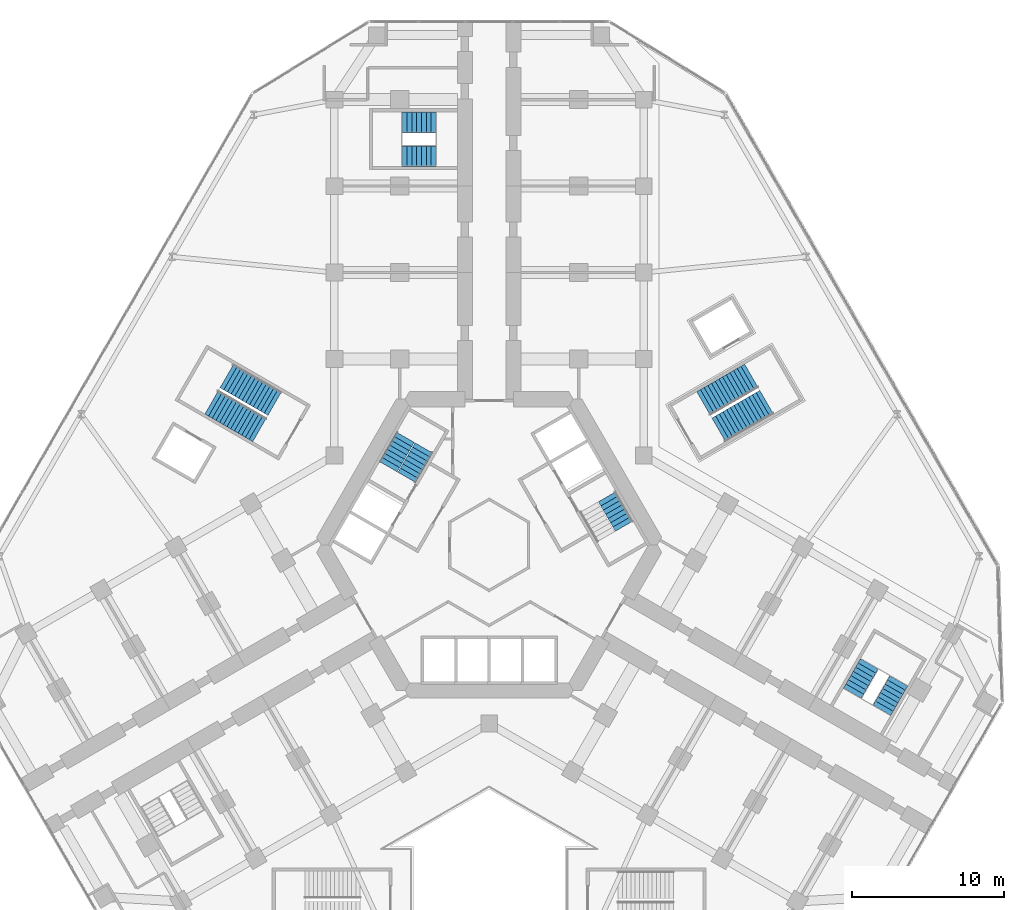
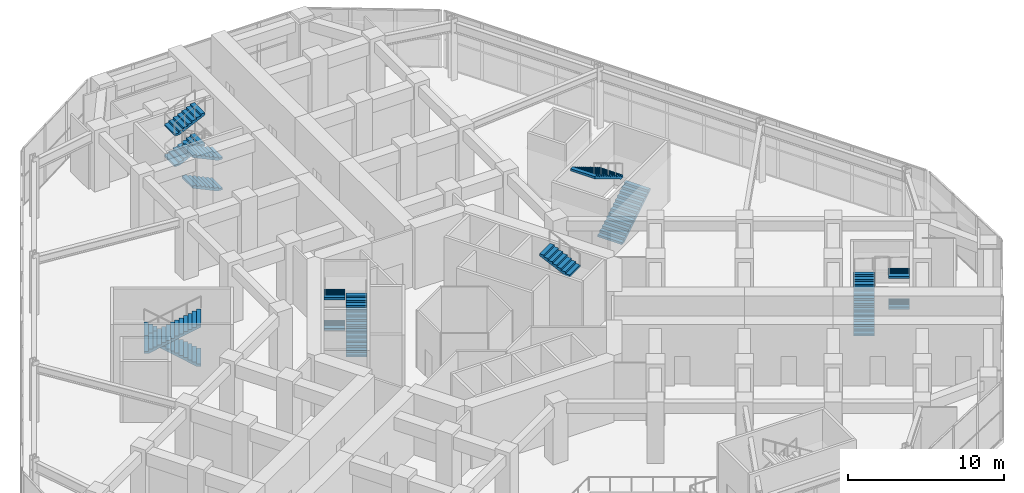
# One storey, part 19 of 22: 17 stair flights, 6 elements without a shape of their own.
"""IFC4 building model written with IfcOpenShell, lengths in metres."""

from ifc_helpers import new_model, si_unit, direction, frame, origin, place, context, subcontext, project, spatial, polyline, outline, extrude, material, type_object, element, aggregate, save


model = new_model("IFC4")

# Units and contexts
model_context = context("Model", 3, precision=1e-05, world=origin(), true_north=direction((0.0, 1.0)))
body_context = subcontext(model_context, "Body", "Model", "MODEL_VIEW")
ifc_project = project(units=[si_unit("LENGTHUNIT", "METRE"), si_unit("AREAUNIT", "SQUARE_METRE"), si_unit("VOLUMEUNIT", "CUBIC_METRE"), si_unit("PLANEANGLEUNIT", "RADIAN"), si_unit("MASSUNIT", "GRAM", prefix="KILO")], contexts=[model_context])

# Site, building, storey
site_placement = place(None, origin())
site = spatial("IfcSite", under=ifc_project, at=site_placement, CompositionType="ELEMENT")
building_placement = place(site_placement, origin())
building = spatial("IfcBuilding", under=site, at=building_placement, Name="Kosmar Iwan School Tower", CompositionType="ELEMENT")
storey_placement = place(building_placement, frame((0.0, 0.0, 10.800048828125)))
storey = spatial("IfcBuildingStorey", under=building, at=storey_placement, Name="L02", CompositionType="ELEMENT", Elevation=10.800048828125)

# Stair, stair flights
ifc_material_1 = material(Name="Concrete C35/45", Category="concrete")
stair_type_1 = type_object("IfcStairType", Name="Escape stair 3600", PredefinedType="HALF_TURN_STAIR", material=ifc_material_1)
stair_1_placement = place(storey_placement, origin())
stair_1 = element("IfcStair", 1, at=stair_1_placement, inside=storey, type_object=stair_type_1, Name="Stair WS1 L02", PredefinedType="HALF_TURN_STAIR")
ifc_material_2 = material(Name="Concrete C35/45", Category="concrete")
stair_flight_type_1 = type_object("IfcStairFlightType", Name="Escape stair flight 1350", PredefinedType="STRAIGHT", material=ifc_material_2)
stair_flight_1_placement = place(storey_placement, frame((-3.5, 25.625, 0.0), z_axis=(0.0, 0.0, 1.0), x_axis=(-1.0, 0.0, 0.0)))
stair_flight_1 = element("IfcStairFlight", 2, at=stair_flight_1_placement, type_object=stair_flight_type_1, Name="WS1 flight 1", NumberOfRisers=8, NumberOfTreads=7, PredefinedType="STRAIGHT", RiserHeight=0.15, TreadLength=0.32, context=body_context, shape_type="SweptSolid", body=[
    extrude(outline(polyline([(0.0, 0.0), (0.0, 0.14990234375), (0.320068359375, 0.14990234375), (0.320068359375, 0.300048828125), (0.639892578125, 0.300048828125), (0.639892578125, 0.449951171875), (0.9599609375, 0.449951171875), (0.9599609375, 0.60009765625), (1.280029296875, 0.60009765625), (1.280029296875, 0.75), (1.60009765625, 0.75), (1.60009765625, 0.89990234375), (1.919921875, 0.89990234375), (1.919921875, 1.050048828125), (2.239990234375, 1.050048828125), (2.239990234375, 1.199951171875), (2.239990234375, 0.884521484375), (0.353271484375, 0.0), (0.0, 0.0)])), frame((0.0, 0.675048828125, 0.0), z_axis=(0.0, -1.0, 0.0), x_axis=(1.0, 0.0, 0.0)), (0.0, 0.0, 1.0), 1.35009765625),
])
stair_flight_2_placement = place(storey_placement, frame((-5.739990234375, 27.875, 1.199951171875), z_axis=(0.0, 0.0, 1.0), x_axis=(1.0, 0.0, 0.0)))
stair_flight_2 = element("IfcStairFlight", 3, at=stair_flight_2_placement, type_object=stair_flight_type_1, Name="WS1 flight 2", NumberOfRisers=8, NumberOfTreads=7, PredefinedType="STRAIGHT", RiserHeight=0.15, TreadLength=0.32, context=body_context, shape_type="SweptSolid", body=[
    extrude(outline(polyline([(0.0, 0.0), (0.0, 0.14990234375), (0.320068359375, 0.14990234375), (0.320068359375, 0.300048828125), (0.639892578125, 0.300048828125), (0.639892578125, 0.449951171875), (0.9599609375, 0.449951171875), (0.9599609375, 0.60009765625), (1.280029296875, 0.60009765625), (1.280029296875, 0.75), (1.60009765625, 0.75), (1.60009765625, 0.89990234375), (1.919921875, 0.89990234375), (1.919921875, 1.050048828125), (2.239990234375, 1.050048828125), (2.239990234375, 1.199951171875), (2.239990234375, 0.884521484375), (0.353271484375, 0.0), (0.0, 0.0)])), frame((0.0, 0.675048828125, 0.0), z_axis=(0.0, -1.0, 0.0), x_axis=(1.0, 0.0, 0.0)), (0.0, 0.0, 1.0), 1.35009765625),
])
stair_flight_3_placement = place(storey_placement, frame((-3.5, 25.625, 2.39990234375), z_axis=(0.0, 0.0, 1.0), x_axis=(-1.0, 0.0, 0.0)))
stair_flight_3 = element("IfcStairFlight", 4, at=stair_flight_3_placement, type_object=stair_flight_type_1, Name="WS1 flight 3", NumberOfRisers=8, NumberOfTreads=7, PredefinedType="STRAIGHT", RiserHeight=0.15, TreadLength=0.32, context=body_context, shape_type="SweptSolid", body=[
    extrude(outline(polyline([(0.0, 0.0), (0.0, 0.14990234375), (0.320068359375, 0.14990234375), (0.320068359375, 0.300048828125), (0.639892578125, 0.300048828125), (0.639892578125, 0.449951171875), (0.9599609375, 0.449951171875), (0.9599609375, 0.60009765625), (1.280029296875, 0.60009765625), (1.280029296875, 0.75), (1.60009765625, 0.75), (1.60009765625, 0.89990234375), (1.919921875, 0.89990234375), (1.919921875, 1.050048828125), (2.239990234375, 1.050048828125), (2.239990234375, 1.199951171875), (2.239990234375, 0.884521484375), (0.353271484375, 0.0), (0.0, 0.0)])), frame((0.0, 0.675048828125, 0.0), z_axis=(0.0, -1.0, 0.0), x_axis=(1.0, 0.0, 0.0)), (0.0, 0.0, 1.0), 1.35009765625),
])
stair_flight_4_placement = place(storey_placement, frame((-5.739990234375, 27.875, 3.599853515625), z_axis=(0.0, 0.0, 1.0), x_axis=(1.0, 0.0, 0.0)))
stair_flight_4 = element("IfcStairFlight", 5, at=stair_flight_4_placement, type_object=stair_flight_type_1, Name="WS1 flight 4", NumberOfRisers=8, NumberOfTreads=7, PredefinedType="STRAIGHT", RiserHeight=0.15, TreadLength=0.32, context=body_context, shape_type="SweptSolid", body=[
    extrude(outline(polyline([(0.0, 0.0), (0.0, 0.14990234375), (0.320068359375, 0.14990234375), (0.320068359375, 0.300048828125), (0.639892578125, 0.300048828125), (0.639892578125, 0.449951171875), (0.9599609375, 0.449951171875), (0.9599609375, 0.60009765625), (1.280029296875, 0.60009765625), (1.280029296875, 0.75), (1.60009765625, 0.75), (1.60009765625, 0.89990234375), (1.919921875, 0.89990234375), (1.919921875, 1.050048828125), (2.239990234375, 1.050048828125), (2.239990234375, 1.199951171875), (2.239990234375, 0.884521484375), (0.353271484375, 0.0), (0.0, 0.0)])), frame((0.0, 0.675048828125, 0.0), z_axis=(0.0, -1.0, 0.0), x_axis=(1.0, 0.0, 0.0)), (0.0, 0.0, 1.0), 1.35009765625),
])
aggregate(stair_1, [stair_flight_1, stair_flight_2, stair_flight_3, stair_flight_4])

stair_2_placement = place(storey_placement, origin())
stair_2 = element("IfcStair", 6, at=stair_2_placement, inside=storey, type_object=stair_type_1, Name="Stair WS3 L02", PredefinedType="HALF_TURN_STAIR")
stair_flight_5_placement = place(storey_placement, frame((23.94189453125, -9.781494140625, 0.0), z_axis=(0.0, 0.0, 1.0), x_axis=(0.5, 0.866025403784, 0.0)))
stair_flight_5 = element("IfcStairFlight", 7, at=stair_flight_5_placement, type_object=stair_flight_type_1, Name="WS3 flight 1", NumberOfRisers=8, NumberOfTreads=7, PredefinedType="STRAIGHT", RiserHeight=0.15, TreadLength=0.32, context=body_context, shape_type="SweptSolid", body=[
    extrude(outline(polyline([(0.0, 0.0), (0.0, 0.14990234375), (0.320068359375, 0.14990234375), (0.320068359375, 0.300048828125), (0.639892578125, 0.300048828125), (0.639892578125, 0.449951171875), (0.9599609375, 0.449951171875), (0.9599609375, 0.60009765625), (1.280029296875, 0.60009765625), (1.280029296875, 0.75), (1.60009765625, 0.75), (1.60009765625, 0.89990234375), (1.919921875, 0.89990234375), (1.919921875, 1.050048828125), (2.239990234375, 1.050048828125), (2.239990234375, 1.199951171875), (2.239990234375, 0.884521484375), (0.353271484375, 0.0), (0.0, 0.0)])), frame((0.0, 0.675048828125, 0.0), z_axis=(0.0, -1.0, 0.0), x_axis=(1.0, 0.0, 0.0)), (0.0, 0.0, 1.0), 1.35009765625),
])
stair_flight_6_placement = place(storey_placement, frame((27.010498046875, -8.966552734375, 1.199951171875), z_axis=(0.0, 0.0, 1.0), x_axis=(-0.5, -0.866025403784, 0.0)))
stair_flight_6 = element("IfcStairFlight", 8, at=stair_flight_6_placement, type_object=stair_flight_type_1, Name="WS3 flight 2", NumberOfRisers=8, NumberOfTreads=7, PredefinedType="STRAIGHT", RiserHeight=0.15, TreadLength=0.32, context=body_context, shape_type="SweptSolid", body=[
    extrude(outline(polyline([(0.0, 0.0), (0.0, 0.14990234375), (0.320068359375, 0.14990234375), (0.320068359375, 0.300048828125), (0.639892578125, 0.300048828125), (0.639892578125, 0.449951171875), (0.9599609375, 0.449951171875), (0.9599609375, 0.60009765625), (1.280029296875, 0.60009765625), (1.280029296875, 0.75), (1.60009765625, 0.75), (1.60009765625, 0.89990234375), (1.919921875, 0.89990234375), (1.919921875, 1.050048828125), (2.239990234375, 1.050048828125), (2.239990234375, 1.199951171875), (2.239990234375, 0.884521484375), (0.353271484375, 0.0), (0.0, 0.0)])), frame((0.0, 0.675048828125, 0.0), z_axis=(0.0, -1.0, 0.0), x_axis=(1.0, 0.0, 0.0)), (0.0, 0.0, 1.0), 1.35009765625),
])
stair_flight_7_placement = place(storey_placement, frame((23.94189453125, -9.781494140625, 2.39990234375), z_axis=(0.0, 0.0, 1.0), x_axis=(0.5, 0.866025403784, 0.0)))
stair_flight_7 = element("IfcStairFlight", 9, at=stair_flight_7_placement, type_object=stair_flight_type_1, Name="WS3 flight 3", NumberOfRisers=8, NumberOfTreads=7, PredefinedType="STRAIGHT", RiserHeight=0.15, TreadLength=0.32, context=body_context, shape_type="SweptSolid", body=[
    extrude(outline(polyline([(0.0, 0.0), (0.0, 0.14990234375), (0.320068359375, 0.14990234375), (0.320068359375, 0.300048828125), (0.639892578125, 0.300048828125), (0.639892578125, 0.449951171875), (0.9599609375, 0.449951171875), (0.9599609375, 0.60009765625), (1.280029296875, 0.60009765625), (1.280029296875, 0.75), (1.60009765625, 0.75), (1.60009765625, 0.89990234375), (1.919921875, 0.89990234375), (1.919921875, 1.050048828125), (2.239990234375, 1.050048828125), (2.239990234375, 1.199951171875), (2.239990234375, 0.884521484375), (0.353271484375, 0.0), (0.0, 0.0)])), frame((0.0, 0.675048828125, 0.0), z_axis=(0.0, -1.0, 0.0), x_axis=(1.0, 0.0, 0.0)), (0.0, 0.0, 1.0), 1.35009765625),
])
stair_flight_8_placement = place(storey_placement, frame((27.010498046875, -8.966552734375, 3.599853515625), z_axis=(0.0, 0.0, 1.0), x_axis=(-0.5, -0.866025403784, 0.0)))
stair_flight_8 = element("IfcStairFlight", 10, at=stair_flight_8_placement, type_object=stair_flight_type_1, Name="WS3 flight 4", NumberOfRisers=8, NumberOfTreads=7, PredefinedType="STRAIGHT", RiserHeight=0.15, TreadLength=0.32, context=body_context, shape_type="SweptSolid", body=[
    extrude(outline(polyline([(0.0, 0.0), (0.0, 0.14990234375), (0.320068359375, 0.14990234375), (0.320068359375, 0.300048828125), (0.639892578125, 0.300048828125), (0.639892578125, 0.449951171875), (0.9599609375, 0.449951171875), (0.9599609375, 0.60009765625), (1.280029296875, 0.60009765625), (1.280029296875, 0.75), (1.60009765625, 0.75), (1.60009765625, 0.89990234375), (1.919921875, 0.89990234375), (1.919921875, 1.050048828125), (2.239990234375, 1.050048828125), (2.239990234375, 1.199951171875), (2.239990234375, 0.884521484375), (0.353271484375, 0.0), (0.0, 0.0)])), frame((0.0, 0.675048828125, 0.0), z_axis=(0.0, -1.0, 0.0), x_axis=(1.0, 0.0, 0.0)), (0.0, 0.0, 1.0), 1.35009765625),
])
aggregate(stair_2, [stair_flight_5, stair_flight_6, stair_flight_7, stair_flight_8])

ifc_material_3 = material(Name="Concrete C35/45", Category="concrete")
stair_type_2 = type_object("IfcStairType", Name="School stair 3800", PredefinedType="HALF_TURN_STAIR", material=ifc_material_3)
stair_3_placement = place(storey_placement, origin())
stair_3 = element("IfcStair", 11, at=stair_3_placement, inside=storey, type_object=stair_type_2, Name="School stair SS3 L02", PredefinedType="HALF_TURN_STAIR")
ifc_material_4 = material(Name="Concrete C35/45", Category="concrete")
stair_flight_type_2 = type_object("IfcStairFlightType", Name="School stair flight 1800", PredefinedType="STRAIGHT", material=ifc_material_4)
stair_flight_9_placement = place(storey_placement, frame((15.1357421875, 7.583984375, 0.0), z_axis=(0.0, 0.0, 1.0), x_axis=(0.866025403784, 0.5, 0.0)))
stair_flight_9 = element("IfcStairFlight", 12, at=stair_flight_9_placement, type_object=stair_flight_type_2, Name="SS3 flight 1", NumberOfRisers=14, NumberOfTreads=13, PredefinedType="STRAIGHT", RiserHeight=0.171428571, TreadLength=0.28, context=body_context, shape_type="SweptSolid", body=[
    extrude(outline(polyline([(0.0, 0.0), (0.0, 0.17138671875), (0.280029296875, 0.17138671875), (0.280029296875, 0.3427734375), (0.56005859375, 0.3427734375), (0.56005859375, 0.514404296875), (0.840087890625, 0.514404296875), (0.840087890625, 0.685791015625), (1.1201171875, 0.685791015625), (1.1201171875, 0.857177734375), (1.39990234375, 0.857177734375), (1.39990234375, 1.028564453125), (1.679931640625, 1.028564453125), (1.679931640625, 1.199951171875), (1.9599609375, 1.199951171875), (1.9599609375, 1.371337890625), (2.239990234375, 1.371337890625), (2.239990234375, 1.54296875), (2.52001953125, 1.54296875), (2.52001953125, 1.71435546875), (2.800048828125, 1.71435546875), (2.800048828125, 1.8857421875), (3.080078125, 1.8857421875), (3.080078125, 2.05712890625), (3.360107421875, 2.05712890625), (3.360107421875, 2.228515625), (3.639892578125, 2.228515625), (3.639892578125, 2.39990234375), (3.639892578125, 2.052734375), (0.287109375, 0.0), (0.0, 0.0)])), frame((0.0, 0.89990234375, 0.0), z_axis=(0.0, -1.0, 0.0), x_axis=(1.0, 0.0, 0.0)), (0.0, 0.0, 1.0), 1.800048828125),
])
stair_flight_10_placement = place(storey_placement, frame((17.2880859375, 11.135986328125, 2.39990234375), z_axis=(0.0, 0.0, 1.0), x_axis=(-0.866025403784, -0.5, 0.0)))
stair_flight_10 = element("IfcStairFlight", 13, at=stair_flight_10_placement, type_object=stair_flight_type_2, Name="SS3 flight 2", NumberOfRisers=14, NumberOfTreads=13, PredefinedType="STRAIGHT", RiserHeight=0.171428571, TreadLength=0.28, context=body_context, shape_type="SweptSolid", body=[
    extrude(outline(polyline([(0.0, 0.0), (0.0, 0.17138671875), (0.280029296875, 0.17138671875), (0.280029296875, 0.3427734375), (0.56005859375, 0.3427734375), (0.56005859375, 0.514404296875), (0.840087890625, 0.514404296875), (0.840087890625, 0.685791015625), (1.1201171875, 0.685791015625), (1.1201171875, 0.857177734375), (1.39990234375, 0.857177734375), (1.39990234375, 1.028564453125), (1.679931640625, 1.028564453125), (1.679931640625, 1.199951171875), (1.9599609375, 1.199951171875), (1.9599609375, 1.371337890625), (2.239990234375, 1.371337890625), (2.239990234375, 1.54296875), (2.52001953125, 1.54296875), (2.52001953125, 1.71435546875), (2.800048828125, 1.71435546875), (2.800048828125, 1.8857421875), (3.080078125, 1.8857421875), (3.080078125, 2.05712890625), (3.360107421875, 2.05712890625), (3.360107421875, 2.228515625), (3.639892578125, 2.228515625), (3.639892578125, 2.39990234375), (3.639892578125, 2.052734375), (0.287109375, 0.0), (0.0, 0.0)])), frame((0.0, 0.89990234375, 0.0), z_axis=(0.0, -1.0, 0.0), x_axis=(1.0, 0.0, 0.0)), (0.0, 0.0, 1.0), 1.800048828125),
])
aggregate(stair_3, [stair_flight_9, stair_flight_10])

stair_4_placement = place(storey_placement, origin())
stair_4 = element("IfcStair", 14, at=stair_4_placement, inside=storey, type_object=stair_type_2, Name="School stair SS4 L02", PredefinedType="HALF_TURN_STAIR")
stair_flight_11_placement = place(storey_placement, frame((-14.1357421875, 9.31591796875, 0.0), z_axis=(0.0, 0.0, 1.0), x_axis=(-0.866025403784, 0.5, 0.0)))
stair_flight_11 = element("IfcStairFlight", 15, at=stair_flight_11_placement, type_object=stair_flight_type_2, Name="SS4 flight 1", NumberOfRisers=14, NumberOfTreads=13, PredefinedType="STRAIGHT", RiserHeight=0.171428571, TreadLength=0.28, context=body_context, shape_type="SweptSolid", body=[
    extrude(outline(polyline([(0.0, 0.0), (0.0, 0.17138671875), (0.280029296875, 0.17138671875), (0.280029296875, 0.3427734375), (0.56005859375, 0.3427734375), (0.56005859375, 0.514404296875), (0.840087890625, 0.514404296875), (0.840087890625, 0.685791015625), (1.1201171875, 0.685791015625), (1.1201171875, 0.857177734375), (1.39990234375, 0.857177734375), (1.39990234375, 1.028564453125), (1.679931640625, 1.028564453125), (1.679931640625, 1.199951171875), (1.9599609375, 1.199951171875), (1.9599609375, 1.371337890625), (2.239990234375, 1.371337890625), (2.239990234375, 1.54296875), (2.52001953125, 1.54296875), (2.52001953125, 1.71435546875), (2.800048828125, 1.71435546875), (2.800048828125, 1.8857421875), (3.080078125, 1.8857421875), (3.080078125, 2.05712890625), (3.360107421875, 2.05712890625), (3.360107421875, 2.228515625), (3.639892578125, 2.228515625), (3.639892578125, 2.39990234375), (3.639892578125, 2.052734375), (0.287109375, 0.0), (0.0, 0.0)])), frame((0.0, 0.89990234375, 0.0), z_axis=(0.0, -1.0, 0.0), x_axis=(1.0, 0.0, 0.0)), (0.0, 0.0, 1.0), 1.800048828125),
])
stair_flight_12_placement = place(storey_placement, frame((-18.2880859375, 9.404052734375, 2.39990234375), z_axis=(0.0, 0.0, 1.0), x_axis=(0.866025403784, -0.5, 0.0)))
stair_flight_12 = element("IfcStairFlight", 16, at=stair_flight_12_placement, type_object=stair_flight_type_2, Name="SS4 flight 2", NumberOfRisers=14, NumberOfTreads=13, PredefinedType="STRAIGHT", RiserHeight=0.171428571, TreadLength=0.28, context=body_context, shape_type="SweptSolid", body=[
    extrude(outline(polyline([(0.0, 0.0), (0.0, 0.17138671875), (0.280029296875, 0.17138671875), (0.280029296875, 0.3427734375), (0.56005859375, 0.3427734375), (0.56005859375, 0.514404296875), (0.840087890625, 0.514404296875), (0.840087890625, 0.685791015625), (1.1201171875, 0.685791015625), (1.1201171875, 0.857177734375), (1.39990234375, 0.857177734375), (1.39990234375, 1.028564453125), (1.679931640625, 1.028564453125), (1.679931640625, 1.199951171875), (1.9599609375, 1.199951171875), (1.9599609375, 1.371337890625), (2.239990234375, 1.371337890625), (2.239990234375, 1.54296875), (2.52001953125, 1.54296875), (2.52001953125, 1.71435546875), (2.800048828125, 1.71435546875), (2.800048828125, 1.8857421875), (3.080078125, 1.8857421875), (3.080078125, 2.05712890625), (3.360107421875, 2.05712890625), (3.360107421875, 2.228515625), (3.639892578125, 2.228515625), (3.639892578125, 2.39990234375), (3.639892578125, 2.052734375), (0.287109375, 0.0), (0.0, 0.0)])), frame((0.0, 0.89990234375, 0.0), z_axis=(0.0, -1.0, 0.0), x_axis=(1.0, 0.0, 0.0)), (0.0, 0.0, 1.0), 1.800048828125),
])
aggregate(stair_4, [stair_flight_11, stair_flight_12])

ifc_material_5 = material(Name="Concrete C35/45", Category="concrete")
stair_type_3 = type_object("IfcStairType", Name="Core stair 2750", PredefinedType="HALF_TURN_STAIR", material=ifc_material_5)
stair_5_placement = place(storey_placement, origin())
stair_5 = element("IfcStair", 17, at=stair_5_placement, inside=storey, type_object=stair_type_3, Name="Stair ST2 L02", PredefinedType="HALF_TURN_STAIR")
ifc_material_6 = material(Name="Concrete C35/45", Category="concrete")
stair_flight_type_3 = type_object("IfcStairFlightType", Name="Stair flight 1350", PredefinedType="STRAIGHT", material=ifc_material_6)
stair_flight_13_placement = place(storey_placement, frame((-5.42724609375, 4.44970703125, 0.0), z_axis=(0.0, 0.0, 1.0), x_axis=(0.5, 0.866025403784, 0.0)))
stair_flight_13 = element("IfcStairFlight", 18, at=stair_flight_13_placement, type_object=stair_flight_type_3, Name="ST2 flight 1", NumberOfRisers=8, NumberOfTreads=7, PredefinedType="STRAIGHT", RiserHeight=0.15, TreadLength=0.32, context=body_context, shape_type="SweptSolid", body=[
    extrude(outline(polyline([(0.0, 0.0), (0.0, 0.14990234375), (0.320068359375, 0.14990234375), (0.320068359375, 0.300048828125), (0.639892578125, 0.300048828125), (0.639892578125, 0.449951171875), (0.9599609375, 0.449951171875), (0.9599609375, 0.60009765625), (1.280029296875, 0.60009765625), (1.280029296875, 0.75), (1.60009765625, 0.75), (1.60009765625, 0.89990234375), (1.919921875, 0.89990234375), (1.919921875, 1.050048828125), (2.239990234375, 1.050048828125), (2.239990234375, 1.199951171875), (2.239990234375, 0.884521484375), (0.353271484375, 0.0), (0.0, 0.0)])), frame((0.0, 0.675048828125, 0.0), z_axis=(0.0, -1.0, 0.0), x_axis=(1.0, 0.0, 0.0)), (0.0, 0.0, 1.0), 1.35009765625),
])
stair_flight_14_placement = place(storey_placement, frame((-5.519775390625, 7.089599609375, 1.199951171875), z_axis=(0.0, 0.0, 1.0), x_axis=(-0.5, -0.866025403784, 0.0)))
stair_flight_14 = element("IfcStairFlight", 19, at=stair_flight_14_placement, type_object=stair_flight_type_3, Name="ST2 flight 2", NumberOfRisers=8, NumberOfTreads=7, PredefinedType="STRAIGHT", RiserHeight=0.15, TreadLength=0.32, context=body_context, shape_type="SweptSolid", body=[
    extrude(outline(polyline([(0.0, 0.0), (0.0, 0.14990234375), (0.320068359375, 0.14990234375), (0.320068359375, 0.300048828125), (0.639892578125, 0.300048828125), (0.639892578125, 0.449951171875), (0.9599609375, 0.449951171875), (0.9599609375, 0.60009765625), (1.280029296875, 0.60009765625), (1.280029296875, 0.75), (1.60009765625, 0.75), (1.60009765625, 0.89990234375), (1.919921875, 0.89990234375), (1.919921875, 1.050048828125), (2.239990234375, 1.050048828125), (2.239990234375, 1.199951171875), (2.239990234375, 0.884521484375), (0.353271484375, 0.0), (0.0, 0.0)])), frame((0.0, 0.675048828125, 0.0), z_axis=(0.0, -1.0, 0.0), x_axis=(1.0, 0.0, 0.0)), (0.0, 0.0, 1.0), 1.35009765625),
])
stair_flight_15_placement = place(storey_placement, frame((-5.42724609375, 4.44970703125, 2.39990234375), z_axis=(0.0, 0.0, 1.0), x_axis=(0.5, 0.866025403784, 0.0)))
stair_flight_15 = element("IfcStairFlight", 20, at=stair_flight_15_placement, type_object=stair_flight_type_3, Name="ST2 flight 3", NumberOfRisers=8, NumberOfTreads=7, PredefinedType="STRAIGHT", RiserHeight=0.15, TreadLength=0.32, context=body_context, shape_type="SweptSolid", body=[
    extrude(outline(polyline([(0.0, 0.0), (0.0, 0.14990234375), (0.320068359375, 0.14990234375), (0.320068359375, 0.300048828125), (0.639892578125, 0.300048828125), (0.639892578125, 0.449951171875), (0.9599609375, 0.449951171875), (0.9599609375, 0.60009765625), (1.280029296875, 0.60009765625), (1.280029296875, 0.75), (1.60009765625, 0.75), (1.60009765625, 0.89990234375), (1.919921875, 0.89990234375), (1.919921875, 1.050048828125), (2.239990234375, 1.050048828125), (2.239990234375, 1.199951171875), (2.239990234375, 0.884521484375), (0.353271484375, 0.0), (0.0, 0.0)])), frame((0.0, 0.675048828125, 0.0), z_axis=(0.0, -1.0, 0.0), x_axis=(1.0, 0.0, 0.0)), (0.0, 0.0, 1.0), 1.35009765625),
])
stair_flight_16_placement = place(storey_placement, frame((-5.519775390625, 7.089599609375, 3.599853515625), z_axis=(0.0, 0.0, 1.0), x_axis=(-0.5, -0.866025403784, 0.0)))
stair_flight_16 = element("IfcStairFlight", 21, at=stair_flight_16_placement, type_object=stair_flight_type_3, Name="ST2 flight 4", NumberOfRisers=8, NumberOfTreads=7, PredefinedType="STRAIGHT", RiserHeight=0.15, TreadLength=0.32, context=body_context, shape_type="SweptSolid", body=[
    extrude(outline(polyline([(0.0, 0.0), (0.0, 0.14990234375), (0.320068359375, 0.14990234375), (0.320068359375, 0.300048828125), (0.639892578125, 0.300048828125), (0.639892578125, 0.449951171875), (0.9599609375, 0.449951171875), (0.9599609375, 0.60009765625), (1.280029296875, 0.60009765625), (1.280029296875, 0.75), (1.60009765625, 0.75), (1.60009765625, 0.89990234375), (1.919921875, 0.89990234375), (1.919921875, 1.050048828125), (2.239990234375, 1.050048828125), (2.239990234375, 1.199951171875), (2.239990234375, 0.884521484375), (0.353271484375, 0.0), (0.0, 0.0)])), frame((0.0, 0.675048828125, 0.0), z_axis=(0.0, -1.0, 0.0), x_axis=(1.0, 0.0, 0.0)), (0.0, 0.0, 1.0), 1.35009765625),
])
aggregate(stair_5, [stair_flight_13, stair_flight_14, stair_flight_15, stair_flight_16])

# Stair, stair flight
stair_6_placement = place(storey_placement, origin())
stair_6 = element("IfcStair", 22, at=stair_6_placement, inside=storey, type_object=stair_type_3, Name="Stair ST1 L02", PredefinedType="HALF_TURN_STAIR")
stair_flight_17_placement = place(storey_placement, frame((8.899658203125, 1.2353515625, 3.599853515625), z_axis=(0.0, 0.0, 1.0), x_axis=(-0.5, 0.866025403784, 0.0)))
stair_flight_17 = element("IfcStairFlight", 23, at=stair_flight_17_placement, type_object=stair_flight_type_3, Name="ST1 flight 4", NumberOfRisers=8, NumberOfTreads=7, PredefinedType="STRAIGHT", RiserHeight=0.15, TreadLength=0.32, context=body_context, shape_type="SweptSolid", body=[
    extrude(outline(polyline([(0.0, 0.0), (0.0, 0.14990234375), (0.320068359375, 0.14990234375), (0.320068359375, 0.300048828125), (0.639892578125, 0.300048828125), (0.639892578125, 0.449951171875), (0.9599609375, 0.449951171875), (0.9599609375, 0.60009765625), (1.280029296875, 0.60009765625), (1.280029296875, 0.75), (1.60009765625, 0.75), (1.60009765625, 0.89990234375), (1.919921875, 0.89990234375), (1.919921875, 1.050048828125), (2.239990234375, 1.050048828125), (2.239990234375, 1.199951171875), (2.239990234375, 0.884521484375), (0.353271484375, 0.0), (0.0, 0.0)])), frame((0.0, 0.675048828125, 0.0), z_axis=(0.0, -1.0, 0.0), x_axis=(1.0, 0.0, 0.0)), (0.0, 0.0, 1.0), 1.35009765625),
])
aggregate(stair_6, [stair_flight_17])

save(model, "model.ifc")
